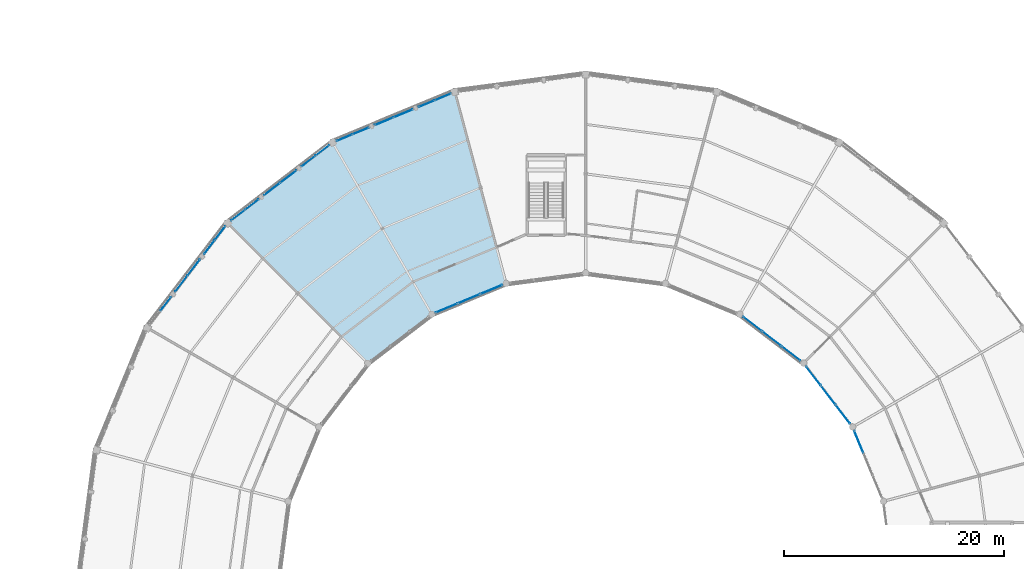
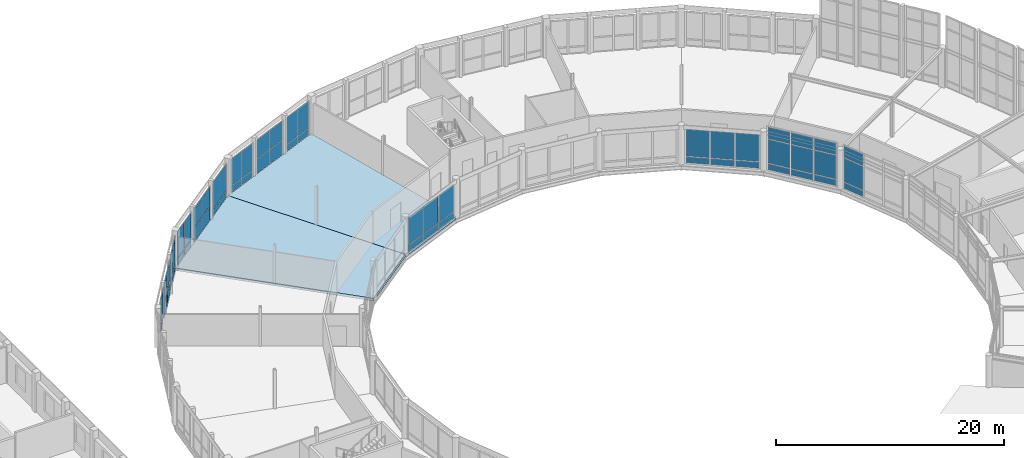
# One storey, part 141 of 185: 58 plates, 2 slabs, 13 elements without a shape of their own.
"""IFC4 building model written with IfcOpenShell, lengths in metres."""

from ifc_helpers import new_model, si_unit, direction, frame, origin, origin_2d, place, context, subcontext, project, spatial, polyline, rectangle, outline, extrude, material, layer, layer_set, type_object, element, aggregate, save


model = new_model("IFC4")

# Units and contexts
model_context = context("Model", 3, precision=1e-05, world=origin(), true_north=direction((0.0, 1.0)))
body_context = subcontext(model_context, "Body", "Model", "MODEL_VIEW")
ifc_project = project(units=[si_unit("LENGTHUNIT", "METRE"), si_unit("AREAUNIT", "SQUARE_METRE"), si_unit("VOLUMEUNIT", "CUBIC_METRE"), si_unit("PLANEANGLEUNIT", "RADIAN"), si_unit("MASSUNIT", "GRAM", prefix="KILO")], contexts=[model_context])

# Site, building, storey
site_placement = place(None, origin())
site = spatial("IfcSite", under=ifc_project, at=site_placement, CompositionType="ELEMENT")
building_placement = place(site_placement, origin())
building = spatial("IfcBuilding", under=site, at=building_placement, Name="Vondelvale Polytechnic", CompositionType="ELEMENT")
storey_placement = place(building_placement, frame((0.0, 0.0, 9.60009765625)))
storey = spatial("IfcBuildingStorey", under=building, at=storey_placement, Name="L02", CompositionType="ELEMENT", Elevation=9.60009765625)

# Curtain wall, plates
ifc_material_1 = material(Name="Anodised extruded aluminium 6063-T6", Category="aluminium")
curtain_wall_type_1 = type_object("IfcCurtainWallType", Name="CW-RING-CLOISTER", PredefinedType="NOTDEFINED", material=ifc_material_1)
curtain_wall_1_placement = place(storey_placement, origin())
curtain_wall_1 = element("IfcCurtainWall", 1, at=curtain_wall_1_placement, inside=storey, type_object=curtain_wall_type_1, Name="L02 architectural curtain wall CW-03-081", PredefinedType="NOTDEFINED")
ifc_material_2 = material(Name="Double-glazed low-E insulated architectural glass", Category="glass")
ifc_layer_1 = layer(ifc_material_2, 0.028076171875)
ifc_layer_set_1 = layer_set([ifc_layer_1], Name="CW-PANEL-GLAZED")
plate_type_1 = type_object("IfcPlateType", Name="CW-PANEL-GLAZED", PredefinedType="CURTAIN_PANEL", material=ifc_layer_set_1)
plate_1_placement = place(storey_placement, frame((126.805908203125, 84.655029296875, 0.7822265625), z_axis=(0.0, 0.0, 1.0), x_axis=(-0.382678531697, 0.923881562419, 0.0)))
plate_1 = element("IfcPlate", 2, at=plate_1_placement, type_object=plate_type_1, Name="CW-03-081 panel 3.2", PredefinedType="CURTAIN_PANEL", context=body_context, shape_type="SweptSolid", body=[
    extrude(rectangle(XDim=2.111572265625, YDim=0.028076171875, at=origin_2d()), origin(), (0.0, 0.0, 1.0), 2.548095703125),
])
plate_2_placement = place(storey_placement, frame((126.805908203125, 84.655029296875, 3.395751953125), z_axis=(0.0, 0.0, 1.0), x_axis=(-0.382678531697, 0.923881562419, 0.0)))
plate_2 = element("IfcPlate", 3, at=plate_2_placement, type_object=plate_type_1, Name="CW-03-081 panel 3.3", PredefinedType="CURTAIN_PANEL", context=body_context, shape_type="SweptSolid", body=[
    extrude(rectangle(XDim=2.111572265625, YDim=0.028076171875, at=origin_2d()), origin(), (0.0, 0.0, 1.0), 1.25244140625),
])

curtain_wall_2_placement = place(storey_placement, origin())
curtain_wall_2 = element("IfcCurtainWall", 4, at=curtain_wall_2_placement, inside=storey, type_object=curtain_wall_type_1, Name="L02 architectural curtain wall CW-03-093", PredefinedType="NOTDEFINED")
plate_3_placement = place(storey_placement, frame((125.363037109375, 87.154296875, 0.7822265625), z_axis=(0.0, 0.0, 1.0), x_axis=(-0.608747717793, 0.793363861089, 0.0)))
plate_3 = element("IfcPlate", 5, at=plate_3_placement, type_object=plate_type_1, Name="CW-03-093 panel 1.2", PredefinedType="CURTAIN_PANEL", context=body_context, shape_type="SweptSolid", body=[
    extrude(rectangle(XDim=2.1123046875, YDim=0.028076171875, at=origin_2d()), origin(), (0.0, 0.0, 1.0), 2.548095703125),
])
plate_4_placement = place(storey_placement, frame((125.363037109375, 87.154296875, 3.395751953125), z_axis=(0.0, 0.0, 1.0), x_axis=(-0.608747717793, 0.793363861089, 0.0)))
plate_4 = element("IfcPlate", 6, at=plate_4_placement, type_object=plate_type_1, Name="CW-03-093 panel 1.3", PredefinedType="CURTAIN_PANEL", context=body_context, shape_type="SweptSolid", body=[
    extrude(rectangle(XDim=2.1123046875, YDim=0.028076171875, at=origin_2d()), origin(), (0.0, 0.0, 1.0), 1.25244140625),
])
plate_5_placement = place(storey_placement, frame((124.02392578125, 88.8994140625, 0.7822265625), z_axis=(0.0, 0.0, 1.0), x_axis=(-0.608747717793, 0.793363861089, 0.0)))
plate_5 = element("IfcPlate", 7, at=plate_5_placement, type_object=plate_type_1, Name="CW-03-093 panel 2.2", PredefinedType="CURTAIN_PANEL", context=body_context, shape_type="SweptSolid", body=[
    extrude(rectangle(XDim=2.1474609375, YDim=0.028076171875, at=origin_2d()), origin(), (0.0, 0.0, 1.0), 2.548095703125),
])
plate_6_placement = place(storey_placement, frame((124.02392578125, 88.8994140625, 3.395751953125), z_axis=(0.0, 0.0, 1.0), x_axis=(-0.608747717793, 0.793363861089, 0.0)))
plate_6 = element("IfcPlate", 8, at=plate_6_placement, type_object=plate_type_1, Name="CW-03-093 panel 2.3", PredefinedType="CURTAIN_PANEL", context=body_context, shape_type="SweptSolid", body=[
    extrude(rectangle(XDim=2.1474609375, YDim=0.028076171875, at=origin_2d()), origin(), (0.0, 0.0, 1.0), 1.25244140625),
])
plate_7_placement = place(storey_placement, frame((122.6845703125, 90.644775390625, 0.7822265625), z_axis=(0.0, 0.0, 1.0), x_axis=(-0.608747717793, 0.793363861089, 0.0)))
plate_7 = element("IfcPlate", 9, at=plate_7_placement, type_object=plate_type_1, Name="CW-03-093 panel 3.2", PredefinedType="CURTAIN_PANEL", context=body_context, shape_type="SweptSolid", body=[
    extrude(rectangle(XDim=2.1123046875, YDim=0.028076171875, at=origin_2d()), origin(), (0.0, 0.0, 1.0), 2.548095703125),
])
plate_8_placement = place(storey_placement, frame((122.6845703125, 90.644775390625, 3.395751953125), z_axis=(0.0, 0.0, 1.0), x_axis=(-0.608747717793, 0.793363861089, 0.0)))
plate_8 = element("IfcPlate", 10, at=plate_8_placement, type_object=plate_type_1, Name="CW-03-093 panel 3.3", PredefinedType="CURTAIN_PANEL", context=body_context, shape_type="SweptSolid", body=[
    extrude(rectangle(XDim=2.1123046875, YDim=0.028076171875, at=origin_2d()), origin(), (0.0, 0.0, 1.0), 1.25244140625),
])

curtain_wall_3_placement = place(storey_placement, origin())
curtain_wall_3 = element("IfcCurtainWall", 11, at=curtain_wall_3_placement, inside=storey, type_object=curtain_wall_type_1, Name="L02 architectural curtain wall CW-03-104", PredefinedType="NOTDEFINED")
plate_9_placement = place(storey_placement, frame((120.644775390625, 92.6845703125, 0.7822265625), z_axis=(0.0, 0.0, 1.0), x_axis=(-0.793363861089, 0.608747717793, 0.0)))
plate_9 = element("IfcPlate", 12, at=plate_9_placement, type_object=plate_type_1, Name="CW-03-104 panel 1.2", PredefinedType="CURTAIN_PANEL", context=body_context, shape_type="SweptSolid", body=[
    extrude(rectangle(XDim=2.1123046875, YDim=0.028076171875, at=origin_2d()), origin(), (0.0, 0.0, 1.0), 2.902587890625),
])
plate_10_placement = place(storey_placement, frame((118.8994140625, 94.02392578125, 0.7822265625), z_axis=(0.0, 0.0, 1.0), x_axis=(-0.793363861089, 0.608747717793, 0.0)))
plate_10 = element("IfcPlate", 13, at=plate_10_placement, type_object=plate_type_1, Name="CW-03-104 panel 2.2", PredefinedType="CURTAIN_PANEL", context=body_context, shape_type="SweptSolid", body=[
    extrude(rectangle(XDim=2.1474609375, YDim=0.028076171875, at=origin_2d()), origin(), (0.0, 0.0, 1.0), 2.902587890625),
])
plate_11_placement = place(storey_placement, frame((117.154296875, 95.363037109375, 0.7822265625), z_axis=(0.0, 0.0, 1.0), x_axis=(-0.793363861089, 0.608747717793, 0.0)))
plate_11 = element("IfcPlate", 14, at=plate_11_placement, type_object=plate_type_1, Name="CW-03-104 panel 3.2", PredefinedType="CURTAIN_PANEL", context=body_context, shape_type="SweptSolid", body=[
    extrude(rectangle(XDim=2.1123046875, YDim=0.028076171875, at=origin_2d()), origin(), (0.0, 0.0, 1.0), 2.902587890625),
])

curtain_wall_4_placement = place(storey_placement, origin())
curtain_wall_4 = element("IfcCurtainWall", 15, at=curtain_wall_4_placement, inside=storey, type_object=curtain_wall_type_1, Name="L02 architectural curtain wall CW-03-179", PredefinedType="NOTDEFINED")
plate_12_placement = place(storey_placement, frame((93.408203125, 98.48876953125, 0.7822265625), z_axis=(0.0, 0.0, 1.0), x_axis=(-0.923881562419, -0.382678531697, 0.0)))
plate_12 = element("IfcPlate", 16, at=plate_12_placement, type_object=plate_type_1, Name="CW-03-179 panel 1.2", PredefinedType="CURTAIN_PANEL", context=body_context, shape_type="SweptSolid", body=[
    extrude(rectangle(XDim=2.111572265625, YDim=0.028076171875, at=origin_2d()), origin(), (0.0, 0.0, 1.0), 2.902587890625),
])
plate_13_placement = place(storey_placement, frame((91.37646484375, 97.647216796875, 0.7822265625), z_axis=(0.0, 0.0, 1.0), x_axis=(-0.923881562419, -0.382678531697, 0.0)))
plate_13 = element("IfcPlate", 17, at=plate_13_placement, type_object=plate_type_1, Name="CW-03-179 panel 2.2", PredefinedType="CURTAIN_PANEL", context=body_context, shape_type="SweptSolid", body=[
    extrude(rectangle(XDim=2.146484375, YDim=0.028076171875, at=origin_2d()), origin(), (0.0, 0.0, 1.0), 2.902587890625),
])
plate_14_placement = place(storey_placement, frame((89.344970703125, 96.805908203125, 0.7822265625), z_axis=(0.0, 0.0, 1.0), x_axis=(-0.923881562419, -0.382678531697, 0.0)))
plate_14 = element("IfcPlate", 18, at=plate_14_placement, type_object=plate_type_1, Name="CW-03-179 panel 3.2", PredefinedType="CURTAIN_PANEL", context=body_context, shape_type="SweptSolid", body=[
    extrude(rectangle(XDim=2.111572265625, YDim=0.028076171875, at=origin_2d()), origin(), (0.0, 0.0, 1.0), 2.902587890625),
])

ifc_material_3 = material(Name="Glulam GL18 structural Tasmanian oak (fb = 42 MPa)", Category="wood")
curtain_wall_type_2 = type_object("IfcCurtainWallType", Name="CW-RING-OUTER", PredefinedType="NOTDEFINED", material=ifc_material_3)
curtain_wall_5_placement = place(storey_placement, origin())
curtain_wall_5 = element("IfcCurtainWall", 19, at=curtain_wall_5_placement, inside=storey, type_object=curtain_wall_type_2, Name="L02 architectural curtain wall CW-04-180", PredefinedType="NOTDEFINED")
plate_15_placement = place(storey_placement, frame((89.02001953125, 115.98779296875, 0.780029296875), z_axis=(0.0, 0.0, 1.0), x_axis=(-0.923882033442, -0.382677394529, 0.0)))
plate_15 = element("IfcPlate", 20, at=plate_15_placement, type_object=plate_type_1, Name="CW-04-180 panel 1.2", PredefinedType="CURTAIN_PANEL", context=body_context, shape_type="SweptSolid", body=[
    extrude(rectangle(XDim=1.530029296875, YDim=0.028076171875, at=origin_2d()), origin(), (0.0, 0.0, 1.0), 2.8798828125),
])
plate_16_placement = place(storey_placement, frame((87.546630859375, 115.377197265625, 0.780029296875), z_axis=(0.0, 0.0, 1.0), x_axis=(-0.923882033442, -0.382677394529, 0.0)))
plate_16 = element("IfcPlate", 21, at=plate_16_placement, type_object=plate_type_1, Name="CW-04-180 panel 2.2", PredefinedType="CURTAIN_PANEL", context=body_context, shape_type="SweptSolid", body=[
    extrude(rectangle(XDim=1.530029296875, YDim=0.028076171875, at=origin_2d()), origin(), (0.0, 0.0, 1.0), 2.8798828125),
])

curtain_wall_6_placement = place(storey_placement, origin())
curtain_wall_6 = element("IfcCurtainWall", 22, at=curtain_wall_6_placement, inside=storey, type_object=curtain_wall_type_2, Name="L02 architectural curtain wall CW-04-181", PredefinedType="NOTDEFINED")
plate_17_placement = place(storey_placement, frame((85.412841796875, 114.493408203125, 1.6298828125), z_axis=(0.0, 0.0, 1.0), x_axis=(-0.92387490701, -0.382694599123, 0.0)))
plate_17 = element("IfcPlate", 23, at=plate_17_placement, type_object=plate_type_1, Name="CW-04-181 panel 1.2", PredefinedType="CURTAIN_PANEL", context=body_context, shape_type="SweptSolid", body=[
    extrude(rectangle(XDim=1.80908203125, YDim=0.028076171875, at=origin_2d()), origin(), (0.0, 0.0, 1.0), 2.030029296875),
])
plate_18_placement = place(storey_placement, frame((83.681396484375, 113.7763671875, 1.6298828125), z_axis=(0.0, 0.0, 1.0), x_axis=(-0.92387490701, -0.382694599123, 0.0)))
plate_18 = element("IfcPlate", 24, at=plate_18_placement, type_object=plate_type_1, Name="CW-04-181 panel 2.2", PredefinedType="CURTAIN_PANEL", context=body_context, shape_type="SweptSolid", body=[
    extrude(rectangle(XDim=1.80908203125, YDim=0.028076171875, at=origin_2d()), origin(), (0.0, 0.0, 1.0), 2.030029296875),
])

curtain_wall_7_placement = place(storey_placement, origin())
curtain_wall_7 = element("IfcCurtainWall", 25, at=curtain_wall_7_placement, inside=storey, type_object=curtain_wall_type_2, Name="L02 architectural curtain wall CW-04-182", PredefinedType="NOTDEFINED")
plate_19_placement = place(storey_placement, frame((81.5478515625, 112.892578125, 0.780029296875), z_axis=(0.0, 0.0, 1.0), x_axis=(-0.923882033442, -0.382677394529, 0.0)))
plate_19 = element("IfcPlate", 26, at=plate_19_placement, type_object=plate_type_1, Name="CW-04-182 panel 1.2", PredefinedType="CURTAIN_PANEL", context=body_context, shape_type="SweptSolid", body=[
    extrude(rectangle(XDim=1.530029296875, YDim=0.028076171875, at=origin_2d()), origin(), (0.0, 0.0, 1.0), 2.8798828125),
])
plate_20_placement = place(storey_placement, frame((80.07421875, 112.2822265625, 0.780029296875), z_axis=(0.0, 0.0, 1.0), x_axis=(-0.923882033442, -0.382677394529, 0.0)))
plate_20 = element("IfcPlate", 27, at=plate_20_placement, type_object=plate_type_1, Name="CW-04-182 panel 2.2", PredefinedType="CURTAIN_PANEL", context=body_context, shape_type="SweptSolid", body=[
    extrude(rectangle(XDim=1.530029296875, YDim=0.028076171875, at=origin_2d()), origin(), (0.0, 0.0, 1.0), 2.8798828125),
])

curtain_wall_8_placement = place(storey_placement, origin())
curtain_wall_8 = element("IfcCurtainWall", 28, at=curtain_wall_8_placement, inside=storey, type_object=curtain_wall_type_2, Name="L02 architectural curtain wall CW-04-199", PredefinedType="NOTDEFINED")
plate_21_placement = place(storey_placement, frame((78.07763671875, 111.12939453125, 0.780029296875), z_axis=(0.0, 0.0, 1.0), x_axis=(-0.793333825656, -0.608786860133, 0.0)))
plate_21 = element("IfcPlate", 29, at=plate_21_placement, type_object=plate_type_1, Name="CW-04-199 panel 1.2", PredefinedType="CURTAIN_PANEL", context=body_context, shape_type="SweptSolid", body=[
    extrude(rectangle(XDim=1.530029296875, YDim=0.028076171875, at=origin_2d()), origin(), (0.0, 0.0, 1.0), 2.8798828125),
])
plate_22_placement = place(storey_placement, frame((76.812255859375, 110.158447265625, 0.780029296875), z_axis=(0.0, 0.0, 1.0), x_axis=(-0.793333825656, -0.608786860133, 0.0)))
plate_22 = element("IfcPlate", 30, at=plate_22_placement, type_object=plate_type_1, Name="CW-04-199 panel 2.2", PredefinedType="CURTAIN_PANEL", context=body_context, shape_type="SweptSolid", body=[
    extrude(rectangle(XDim=1.530029296875, YDim=0.028076171875, at=origin_2d()), origin(), (0.0, 0.0, 1.0), 2.8798828125),
])

curtain_wall_9_placement = place(storey_placement, origin())
curtain_wall_9 = element("IfcCurtainWall", 31, at=curtain_wall_9_placement, inside=storey, type_object=curtain_wall_type_2, Name="L02 architectural curtain wall CW-04-201", PredefinedType="NOTDEFINED")
plate_23_placement = place(storey_placement, frame((71.660888671875, 106.205810546875, 0.780029296875), z_axis=(0.0, 0.0, 1.0), x_axis=(-0.793333825656, -0.608786860133, 0.0)))
plate_23 = element("IfcPlate", 32, at=plate_23_placement, type_object=plate_type_1, Name="CW-04-201 panel 1.2", PredefinedType="CURTAIN_PANEL", context=body_context, shape_type="SweptSolid", body=[
    extrude(rectangle(XDim=1.530029296875, YDim=0.028076171875, at=origin_2d()), origin(), (0.0, 0.0, 1.0), 2.8798828125),
])
plate_24_placement = place(storey_placement, frame((70.3955078125, 105.234619140625, 0.780029296875), z_axis=(0.0, 0.0, 1.0), x_axis=(-0.793333825656, -0.608786860133, 0.0)))
plate_24 = element("IfcPlate", 33, at=plate_24_placement, type_object=plate_type_1, Name="CW-04-201 panel 2.2", PredefinedType="CURTAIN_PANEL", context=body_context, shape_type="SweptSolid", body=[
    extrude(rectangle(XDim=1.530029296875, YDim=0.028076171875, at=origin_2d()), origin(), (0.0, 0.0, 1.0), 2.8798828125),
])

curtain_wall_10_placement = place(storey_placement, origin())
curtain_wall_10 = element("IfcCurtainWall", 34, at=curtain_wall_10_placement, inside=storey, type_object=curtain_wall_type_2, Name="L02 architectural curtain wall CW-04-218", PredefinedType="NOTDEFINED")
plate_25_placement = place(storey_placement, frame((68.765380859375, 103.6044921875, 0.780029296875), z_axis=(0.0, 0.0, 1.0), x_axis=(-0.608786860133, -0.793333825656, 0.0)))
plate_25 = element("IfcPlate", 35, at=plate_25_placement, type_object=plate_type_1, Name="CW-04-218 panel 1.2", PredefinedType="CURTAIN_PANEL", context=body_context, shape_type="SweptSolid", body=[
    extrude(rectangle(XDim=1.530029296875, YDim=0.028076171875, at=origin_2d()), origin(), (0.0, 0.0, 1.0), 2.8798828125),
])
plate_26_placement = place(storey_placement, frame((67.794189453125, 102.339111328125, 0.780029296875), z_axis=(0.0, 0.0, 1.0), x_axis=(-0.608786860133, -0.793333825656, 0.0)))
plate_26 = element("IfcPlate", 36, at=plate_26_placement, type_object=plate_type_1, Name="CW-04-218 panel 2.2", PredefinedType="CURTAIN_PANEL", context=body_context, shape_type="SweptSolid", body=[
    extrude(rectangle(XDim=1.530029296875, YDim=0.028076171875, at=origin_2d()), origin(), (0.0, 0.0, 1.0), 2.8798828125),
])

curtain_wall_11_placement = place(storey_placement, origin())
curtain_wall_11 = element("IfcCurtainWall", 37, at=curtain_wall_11_placement, inside=storey, type_object=curtain_wall_type_2, Name="L02 architectural curtain wall CW-04-219", PredefinedType="NOTDEFINED")
plate_27_placement = place(storey_placement, frame((66.388427734375, 100.5068359375, 1.6298828125), z_axis=(0.0, 0.0, 1.0), x_axis=(-0.608771189063, -0.793345851043, 0.0)))
plate_27 = element("IfcPlate", 38, at=plate_27_placement, type_object=plate_type_1, Name="CW-04-219 panel 1.2", PredefinedType="CURTAIN_PANEL", context=body_context, shape_type="SweptSolid", body=[
    extrude(rectangle(XDim=1.80908203125, YDim=0.028076171875, at=origin_2d()), origin(), (0.0, 0.0, 1.0), 2.030029296875),
])
plate_28_placement = place(storey_placement, frame((65.24755859375, 99.02001953125, 1.6298828125), z_axis=(0.0, 0.0, 1.0), x_axis=(-0.608771189063, -0.793345851043, 0.0)))
plate_28 = element("IfcPlate", 39, at=plate_28_placement, type_object=plate_type_1, Name="CW-04-219 panel 2.2", PredefinedType="CURTAIN_PANEL", context=body_context, shape_type="SweptSolid", body=[
    extrude(rectangle(XDim=1.80908203125, YDim=0.028076171875, at=origin_2d()), origin(), (0.0, 0.0, 1.0), 2.030029296875),
])

# Curtain wall, plate
curtain_wall_12_placement = place(storey_placement, origin())
curtain_wall_12 = element("IfcCurtainWall", 40, at=curtain_wall_12_placement, inside=storey, type_object=curtain_wall_type_2, Name="L02 architectural curtain wall CW-04-220", PredefinedType="NOTDEFINED")
plate_29_placement = place(storey_placement, frame((63.841552734375, 97.187744140625, 0.780029296875), z_axis=(0.0, 0.0, 1.0), x_axis=(-0.608786860133, -0.793333825656, 0.0)))
plate_29 = element("IfcPlate", 41, at=plate_29_placement, type_object=plate_type_1, Name="CW-04-220 panel 1.2", PredefinedType="CURTAIN_PANEL", context=body_context, shape_type="SweptSolid", body=[
    extrude(rectangle(XDim=1.530029296875, YDim=0.028076171875, at=origin_2d()), origin(), (0.0, 0.0, 1.0), 2.8798828125),
])

# Plate
ifc_material_4 = material(Name="Engineered Tasmanian oak studio and bridge joinery")
ifc_layer_2 = layer(ifc_material_4, 0.0419921875)
ifc_layer_set_2 = layer_set([ifc_layer_2], Name="CW-PANEL-OAK")
plate_type_2 = type_object("IfcPlateType", Name="CW-PANEL-OAK", PredefinedType="CURTAIN_PANEL", material=ifc_layer_set_2)
plate_30_placement = place(storey_placement, frame((126.805908203125, 84.655029296875, 0.06494140625), z_axis=(0.0, 0.0, 1.0), x_axis=(-0.382678531697, 0.923881562419, 0.0)))
plate_30 = element("IfcPlate", 42, at=plate_30_placement, type_object=plate_type_2, Name="CW-03-081 panel 3.1", PredefinedType="CURTAIN_PANEL", context=body_context, shape_type="SweptSolid", body=[
    extrude(rectangle(XDim=2.111572265625, YDim=0.0419921875, at=origin_2d()), origin(), (0.0, 0.0, 1.0), 0.652587890625),
])

aggregate(curtain_wall_1, [plate_30, plate_1, plate_2])

plate_31_placement = place(storey_placement, frame((125.363037109375, 87.154296875, 0.06494140625), z_axis=(0.0, 0.0, 1.0), x_axis=(-0.608747717793, 0.793363861089, 0.0)))
plate_31 = element("IfcPlate", 43, at=plate_31_placement, type_object=plate_type_2, Name="CW-03-093 panel 1.1", PredefinedType="CURTAIN_PANEL", context=body_context, shape_type="SweptSolid", body=[
    extrude(rectangle(XDim=2.1123046875, YDim=0.0419921875, at=origin_2d()), origin(), (0.0, 0.0, 1.0), 0.652587890625),
])

plate_32_placement = place(storey_placement, frame((124.02392578125, 88.8994140625, 0.06494140625), z_axis=(0.0, 0.0, 1.0), x_axis=(-0.608747717793, 0.793363861089, 0.0)))
plate_32 = element("IfcPlate", 44, at=plate_32_placement, type_object=plate_type_2, Name="CW-03-093 panel 2.1", PredefinedType="CURTAIN_PANEL", context=body_context, shape_type="SweptSolid", body=[
    extrude(rectangle(XDim=2.1474609375, YDim=0.0419921875, at=origin_2d()), origin(), (0.0, 0.0, 1.0), 0.652587890625),
])

plate_33_placement = place(storey_placement, frame((122.6845703125, 90.644775390625, 0.06494140625), z_axis=(0.0, 0.0, 1.0), x_axis=(-0.608747717793, 0.793363861089, 0.0)))
plate_33 = element("IfcPlate", 45, at=plate_33_placement, type_object=plate_type_2, Name="CW-03-093 panel 3.1", PredefinedType="CURTAIN_PANEL", context=body_context, shape_type="SweptSolid", body=[
    extrude(rectangle(XDim=2.1123046875, YDim=0.0419921875, at=origin_2d()), origin(), (0.0, 0.0, 1.0), 0.652587890625),
])

aggregate(curtain_wall_2, [plate_31, plate_3, plate_4, plate_32, plate_5, plate_6, plate_33, plate_7, plate_8])

plate_34_placement = place(storey_placement, frame((120.644775390625, 92.6845703125, 0.06494140625), z_axis=(0.0, 0.0, 1.0), x_axis=(-0.793363861089, 0.608747717793, 0.0)))
plate_34 = element("IfcPlate", 46, at=plate_34_placement, type_object=plate_type_2, Name="CW-03-104 panel 1.1", PredefinedType="CURTAIN_PANEL", context=body_context, shape_type="SweptSolid", body=[
    extrude(rectangle(XDim=2.1123046875, YDim=0.0419921875, at=origin_2d()), origin(), (0.0, 0.0, 1.0), 0.652587890625),
])

plate_35_placement = place(storey_placement, frame((118.8994140625, 94.02392578125, 0.06494140625), z_axis=(0.0, 0.0, 1.0), x_axis=(-0.793363861089, 0.608747717793, 0.0)))
plate_35 = element("IfcPlate", 47, at=plate_35_placement, type_object=plate_type_2, Name="CW-03-104 panel 2.1", PredefinedType="CURTAIN_PANEL", context=body_context, shape_type="SweptSolid", body=[
    extrude(rectangle(XDim=2.1474609375, YDim=0.0419921875, at=origin_2d()), origin(), (0.0, 0.0, 1.0), 0.652587890625),
])

plate_36_placement = place(storey_placement, frame((117.154296875, 95.363037109375, 0.06494140625), z_axis=(0.0, 0.0, 1.0), x_axis=(-0.793363861089, 0.608747717793, 0.0)))
plate_36 = element("IfcPlate", 48, at=plate_36_placement, type_object=plate_type_2, Name="CW-03-104 panel 3.1", PredefinedType="CURTAIN_PANEL", context=body_context, shape_type="SweptSolid", body=[
    extrude(rectangle(XDim=2.1123046875, YDim=0.0419921875, at=origin_2d()), origin(), (0.0, 0.0, 1.0), 0.652587890625),
])

aggregate(curtain_wall_3, [plate_34, plate_9, plate_35, plate_10, plate_36, plate_11])

plate_37_placement = place(storey_placement, frame((93.408203125, 98.48876953125, 0.06494140625), z_axis=(0.0, 0.0, 1.0), x_axis=(-0.923881562419, -0.382678531697, 0.0)))
plate_37 = element("IfcPlate", 49, at=plate_37_placement, type_object=plate_type_2, Name="CW-03-179 panel 1.1", PredefinedType="CURTAIN_PANEL", context=body_context, shape_type="SweptSolid", body=[
    extrude(rectangle(XDim=2.111572265625, YDim=0.0419921875, at=origin_2d()), origin(), (0.0, 0.0, 1.0), 0.652587890625),
])

plate_38_placement = place(storey_placement, frame((91.37646484375, 97.647216796875, 0.06494140625), z_axis=(0.0, 0.0, 1.0), x_axis=(-0.923881562419, -0.382678531697, 0.0)))
plate_38 = element("IfcPlate", 50, at=plate_38_placement, type_object=plate_type_2, Name="CW-03-179 panel 2.1", PredefinedType="CURTAIN_PANEL", context=body_context, shape_type="SweptSolid", body=[
    extrude(rectangle(XDim=2.146484375, YDim=0.0419921875, at=origin_2d()), origin(), (0.0, 0.0, 1.0), 0.652587890625),
])

plate_39_placement = place(storey_placement, frame((89.344970703125, 96.805908203125, 0.06494140625), z_axis=(0.0, 0.0, 1.0), x_axis=(-0.923881562419, -0.382678531697, 0.0)))
plate_39 = element("IfcPlate", 51, at=plate_39_placement, type_object=plate_type_2, Name="CW-03-179 panel 3.1", PredefinedType="CURTAIN_PANEL", context=body_context, shape_type="SweptSolid", body=[
    extrude(rectangle(XDim=2.111572265625, YDim=0.0419921875, at=origin_2d()), origin(), (0.0, 0.0, 1.0), 0.652587890625),
])

aggregate(curtain_wall_4, [plate_37, plate_12, plate_38, plate_13, plate_39, plate_14])

plate_40_placement = place(storey_placement, frame((85.412841796875, 114.493408203125, 0.06005859375), z_axis=(0.0, 0.0, 1.0), x_axis=(-0.92387490701, -0.382694599123, 0.0)))
plate_40 = element("IfcPlate", 52, at=plate_40_placement, type_object=plate_type_2, Name="CW-04-181 panel 1.1", PredefinedType="CURTAIN_PANEL", context=body_context, shape_type="SweptSolid", body=[
    extrude(rectangle(XDim=1.80908203125, YDim=0.0419921875, at=origin_2d()), origin(), (0.0, 0.0, 1.0), 1.510009765625),
])

plate_41_placement = place(storey_placement, frame((83.681396484375, 113.7763671875, 0.06005859375), z_axis=(0.0, 0.0, 1.0), x_axis=(-0.92387490701, -0.382694599123, 0.0)))
plate_41 = element("IfcPlate", 53, at=plate_41_placement, type_object=plate_type_2, Name="CW-04-181 panel 2.1", PredefinedType="CURTAIN_PANEL", context=body_context, shape_type="SweptSolid", body=[
    extrude(rectangle(XDim=1.80908203125, YDim=0.0419921875, at=origin_2d()), origin(), (0.0, 0.0, 1.0), 1.510009765625),
])

aggregate(curtain_wall_6, [plate_40, plate_17, plate_41, plate_18])

# Curtain wall, plates
curtain_wall_13_placement = place(storey_placement, origin())
curtain_wall_13 = element("IfcCurtainWall", 54, at=curtain_wall_13_placement, inside=storey, type_object=curtain_wall_type_2, Name="L02 architectural curtain wall CW-04-200", PredefinedType="NOTDEFINED")
plate_42_placement = place(storey_placement, frame((74.97998046875, 108.75244140625, 0.06005859375), z_axis=(0.0, 0.0, 1.0), x_axis=(-0.793345851043, -0.608771189063, 0.0)))
plate_42 = element("IfcPlate", 55, at=plate_42_placement, type_object=plate_type_2, Name="CW-04-200 panel 1.1", PredefinedType="CURTAIN_PANEL", context=body_context, shape_type="SweptSolid", body=[
    extrude(rectangle(XDim=1.80908203125, YDim=0.0419921875, at=origin_2d()), origin(), (0.0, 0.0, 1.0), 1.510009765625),
])
plate_43_placement = place(storey_placement, frame((74.97998046875, 108.75244140625, 1.6298828125), z_axis=(0.0, 0.0, 1.0), x_axis=(-0.793345851043, -0.608771189063, 0.0)))
plate_43 = element("IfcPlate", 56, at=plate_43_placement, type_object=plate_type_2, Name="CW-04-200 panel 1.2", PredefinedType="CURTAIN_PANEL", context=body_context, shape_type="SweptSolid", body=[
    extrude(rectangle(XDim=1.80908203125, YDim=0.0419921875, at=origin_2d()), origin(), (0.0, 0.0, 1.0), 2.030029296875),
])
plate_44_placement = place(storey_placement, frame((73.4931640625, 107.611572265625, 0.06005859375), z_axis=(0.0, 0.0, 1.0), x_axis=(-0.793345851043, -0.608771189063, 0.0)))
plate_44 = element("IfcPlate", 57, at=plate_44_placement, type_object=plate_type_2, Name="CW-04-200 panel 2.1", PredefinedType="CURTAIN_PANEL", context=body_context, shape_type="SweptSolid", body=[
    extrude(rectangle(XDim=1.80908203125, YDim=0.0419921875, at=origin_2d()), origin(), (0.0, 0.0, 1.0), 1.510009765625),
])
plate_45_placement = place(storey_placement, frame((73.4931640625, 107.611572265625, 1.6298828125), z_axis=(0.0, 0.0, 1.0), x_axis=(-0.793345851043, -0.608771189063, 0.0)))
plate_45 = element("IfcPlate", 58, at=plate_45_placement, type_object=plate_type_2, Name="CW-04-200 panel 2.2", PredefinedType="CURTAIN_PANEL", context=body_context, shape_type="SweptSolid", body=[
    extrude(rectangle(XDim=1.80908203125, YDim=0.0419921875, at=origin_2d()), origin(), (0.0, 0.0, 1.0), 2.030029296875),
])
aggregate(curtain_wall_13, [plate_42, plate_43, plate_44, plate_45])

# Plate
plate_46_placement = place(storey_placement, frame((66.388427734375, 100.5068359375, 0.06005859375), z_axis=(0.0, 0.0, 1.0), x_axis=(-0.608771189063, -0.793345851043, 0.0)))
plate_46 = element("IfcPlate", 59, at=plate_46_placement, type_object=plate_type_2, Name="CW-04-219 panel 1.1", PredefinedType="CURTAIN_PANEL", context=body_context, shape_type="SweptSolid", body=[
    extrude(rectangle(XDim=1.80908203125, YDim=0.0419921875, at=origin_2d()), origin(), (0.0, 0.0, 1.0), 1.510009765625),
])

plate_47_placement = place(storey_placement, frame((65.24755859375, 99.02001953125, 0.06005859375), z_axis=(0.0, 0.0, 1.0), x_axis=(-0.608771189063, -0.793345851043, 0.0)))
plate_47 = element("IfcPlate", 60, at=plate_47_placement, type_object=plate_type_2, Name="CW-04-219 panel 2.1", PredefinedType="CURTAIN_PANEL", context=body_context, shape_type="SweptSolid", body=[
    extrude(rectangle(XDim=1.80908203125, YDim=0.0419921875, at=origin_2d()), origin(), (0.0, 0.0, 1.0), 1.510009765625),
])

aggregate(curtain_wall_11, [plate_46, plate_27, plate_47, plate_28])

ifc_material_5 = material(Name="Kiln-fired architectural terracotta", Category="masonry")
ifc_layer_3 = layer(ifc_material_5, 0.035888671875)
ifc_layer_set_3 = layer_set([ifc_layer_3], Name="CW-PANEL-SPANDREL")
plate_type_3 = type_object("IfcPlateType", Name="CW-PANEL-SPANDREL", PredefinedType="CURTAIN_PANEL", material=ifc_layer_set_3)
plate_48_placement = place(storey_placement, frame((89.02001953125, 115.98779296875, 0.06005859375), z_axis=(0.0, 0.0, 1.0), x_axis=(-0.923882033442, -0.382677394529, 0.0)))
plate_48 = element("IfcPlate", 61, at=plate_48_placement, type_object=plate_type_3, Name="CW-04-180 panel 1.1", PredefinedType="CURTAIN_PANEL", context=body_context, shape_type="SweptSolid", body=[
    extrude(rectangle(XDim=1.530029296875, YDim=0.035888671875, at=origin_2d()), origin(), (0.0, 0.0, 1.0), 0.659912109375),
])

plate_49_placement = place(storey_placement, frame((87.546630859375, 115.377197265625, 0.06005859375), z_axis=(0.0, 0.0, 1.0), x_axis=(-0.923882033442, -0.382677394529, 0.0)))
plate_49 = element("IfcPlate", 62, at=plate_49_placement, type_object=plate_type_3, Name="CW-04-180 panel 2.1", PredefinedType="CURTAIN_PANEL", context=body_context, shape_type="SweptSolid", body=[
    extrude(rectangle(XDim=1.530029296875, YDim=0.035888671875, at=origin_2d()), origin(), (0.0, 0.0, 1.0), 0.659912109375),
])

aggregate(curtain_wall_5, [plate_48, plate_15, plate_49, plate_16])

plate_50_placement = place(storey_placement, frame((81.5478515625, 112.892578125, 0.06005859375), z_axis=(0.0, 0.0, 1.0), x_axis=(-0.923882033442, -0.382677394529, 0.0)))
plate_50 = element("IfcPlate", 63, at=plate_50_placement, type_object=plate_type_3, Name="CW-04-182 panel 1.1", PredefinedType="CURTAIN_PANEL", context=body_context, shape_type="SweptSolid", body=[
    extrude(rectangle(XDim=1.530029296875, YDim=0.035888671875, at=origin_2d()), origin(), (0.0, 0.0, 1.0), 0.659912109375),
])

plate_51_placement = place(storey_placement, frame((80.07421875, 112.2822265625, 0.06005859375), z_axis=(0.0, 0.0, 1.0), x_axis=(-0.923882033442, -0.382677394529, 0.0)))
plate_51 = element("IfcPlate", 64, at=plate_51_placement, type_object=plate_type_3, Name="CW-04-182 panel 2.1", PredefinedType="CURTAIN_PANEL", context=body_context, shape_type="SweptSolid", body=[
    extrude(rectangle(XDim=1.530029296875, YDim=0.035888671875, at=origin_2d()), origin(), (0.0, 0.0, 1.0), 0.659912109375),
])

aggregate(curtain_wall_7, [plate_50, plate_19, plate_51, plate_20])

plate_52_placement = place(storey_placement, frame((78.07763671875, 111.12939453125, 0.06005859375), z_axis=(0.0, 0.0, 1.0), x_axis=(-0.793333825656, -0.608786860133, 0.0)))
plate_52 = element("IfcPlate", 65, at=plate_52_placement, type_object=plate_type_3, Name="CW-04-199 panel 1.1", PredefinedType="CURTAIN_PANEL", context=body_context, shape_type="SweptSolid", body=[
    extrude(rectangle(XDim=1.530029296875, YDim=0.035888671875, at=origin_2d()), origin(), (0.0, 0.0, 1.0), 0.659912109375),
])

plate_53_placement = place(storey_placement, frame((76.812255859375, 110.158447265625, 0.06005859375), z_axis=(0.0, 0.0, 1.0), x_axis=(-0.793333825656, -0.608786860133, 0.0)))
plate_53 = element("IfcPlate", 66, at=plate_53_placement, type_object=plate_type_3, Name="CW-04-199 panel 2.1", PredefinedType="CURTAIN_PANEL", context=body_context, shape_type="SweptSolid", body=[
    extrude(rectangle(XDim=1.530029296875, YDim=0.035888671875, at=origin_2d()), origin(), (0.0, 0.0, 1.0), 0.659912109375),
])

aggregate(curtain_wall_8, [plate_52, plate_21, plate_53, plate_22])

plate_54_placement = place(storey_placement, frame((71.660888671875, 106.205810546875, 0.06005859375), z_axis=(0.0, 0.0, 1.0), x_axis=(-0.793333825656, -0.608786860133, 0.0)))
plate_54 = element("IfcPlate", 67, at=plate_54_placement, type_object=plate_type_3, Name="CW-04-201 panel 1.1", PredefinedType="CURTAIN_PANEL", context=body_context, shape_type="SweptSolid", body=[
    extrude(rectangle(XDim=1.530029296875, YDim=0.035888671875, at=origin_2d()), origin(), (0.0, 0.0, 1.0), 0.659912109375),
])

plate_55_placement = place(storey_placement, frame((70.3955078125, 105.234619140625, 0.06005859375), z_axis=(0.0, 0.0, 1.0), x_axis=(-0.793333825656, -0.608786860133, 0.0)))
plate_55 = element("IfcPlate", 68, at=plate_55_placement, type_object=plate_type_3, Name="CW-04-201 panel 2.1", PredefinedType="CURTAIN_PANEL", context=body_context, shape_type="SweptSolid", body=[
    extrude(rectangle(XDim=1.530029296875, YDim=0.035888671875, at=origin_2d()), origin(), (0.0, 0.0, 1.0), 0.659912109375),
])

aggregate(curtain_wall_9, [plate_54, plate_23, plate_55, plate_24])

plate_56_placement = place(storey_placement, frame((68.765380859375, 103.6044921875, 0.06005859375), z_axis=(0.0, 0.0, 1.0), x_axis=(-0.608786860133, -0.793333825656, 0.0)))
plate_56 = element("IfcPlate", 69, at=plate_56_placement, type_object=plate_type_3, Name="CW-04-218 panel 1.1", PredefinedType="CURTAIN_PANEL", context=body_context, shape_type="SweptSolid", body=[
    extrude(rectangle(XDim=1.530029296875, YDim=0.035888671875, at=origin_2d()), origin(), (0.0, 0.0, 1.0), 0.659912109375),
])

plate_57_placement = place(storey_placement, frame((67.794189453125, 102.339111328125, 0.06005859375), z_axis=(0.0, 0.0, 1.0), x_axis=(-0.608786860133, -0.793333825656, 0.0)))
plate_57 = element("IfcPlate", 70, at=plate_57_placement, type_object=plate_type_3, Name="CW-04-218 panel 2.1", PredefinedType="CURTAIN_PANEL", context=body_context, shape_type="SweptSolid", body=[
    extrude(rectangle(XDim=1.530029296875, YDim=0.035888671875, at=origin_2d()), origin(), (0.0, 0.0, 1.0), 0.659912109375),
])

aggregate(curtain_wall_10, [plate_56, plate_25, plate_57, plate_26])

plate_58_placement = place(storey_placement, frame((63.841552734375, 97.187744140625, 0.06005859375), z_axis=(0.0, 0.0, 1.0), x_axis=(-0.608786860133, -0.793333825656, 0.0)))
plate_58 = element("IfcPlate", 71, at=plate_58_placement, type_object=plate_type_3, Name="CW-04-220 panel 1.1", PredefinedType="CURTAIN_PANEL", context=body_context, shape_type="SweptSolid", body=[
    extrude(rectangle(XDim=1.530029296875, YDim=0.035888671875, at=origin_2d()), origin(), (0.0, 0.0, 1.0), 0.659912109375),
])

aggregate(curtain_wall_12, [plate_58, plate_29])

# Slabs
ifc_material_6 = material(Name="Concrete N40 (f'c = 40 MPa)", Category="concrete")
ifc_layer_4 = layer(ifc_material_6, 0.280029296875)
ifc_layer_set_4 = layer_set([ifc_layer_4], Name="SLB-LIBRARY-280")
slab_type = type_object("IfcSlabType", Name="SLB-LIBRARY-280", PredefinedType="FLOOR", material=ifc_layer_set_4)
slab_1_placement = place(storey_placement, frame((0.0, 0.0, -0.280029296875)))
element("IfcSlab", 72, at=slab_1_placement, inside=storey, type_object=slab_type, Name="L02 circular ring sector 07 floor slab", PredefinedType="FLOOR", context=body_context, shape_type="SweptSolid", body=[
    extrude(outline(polyline([(94.753173828125, 99.0458984375), (90.09423828125, 116.4326171875), (79.0, 111.837158203125), (88.0, 96.248779296875), (94.753173828125, 99.0458984375)])), origin(), (0.0, 0.0, 1.0), 0.280029296875),
])
slab_2_placement = place(storey_placement, frame((0.0, 0.0, -0.280029296875)))
element("IfcSlab", 73, at=slab_2_placement, inside=storey, type_object=slab_type, Name="L02 circular ring sector 08 floor slab", PredefinedType="FLOOR", context=body_context, shape_type="SweptSolid", body=[
    extrude(outline(polyline([(88.0, 96.248779296875), (79.0, 111.837158203125), (69.47314453125, 104.52685546875), (82.200927734375, 91.799072265625), (88.0, 96.248779296875)])), origin(), (0.0, 0.0, 1.0), 0.280029296875),
])

save(model, "model.ifc")
